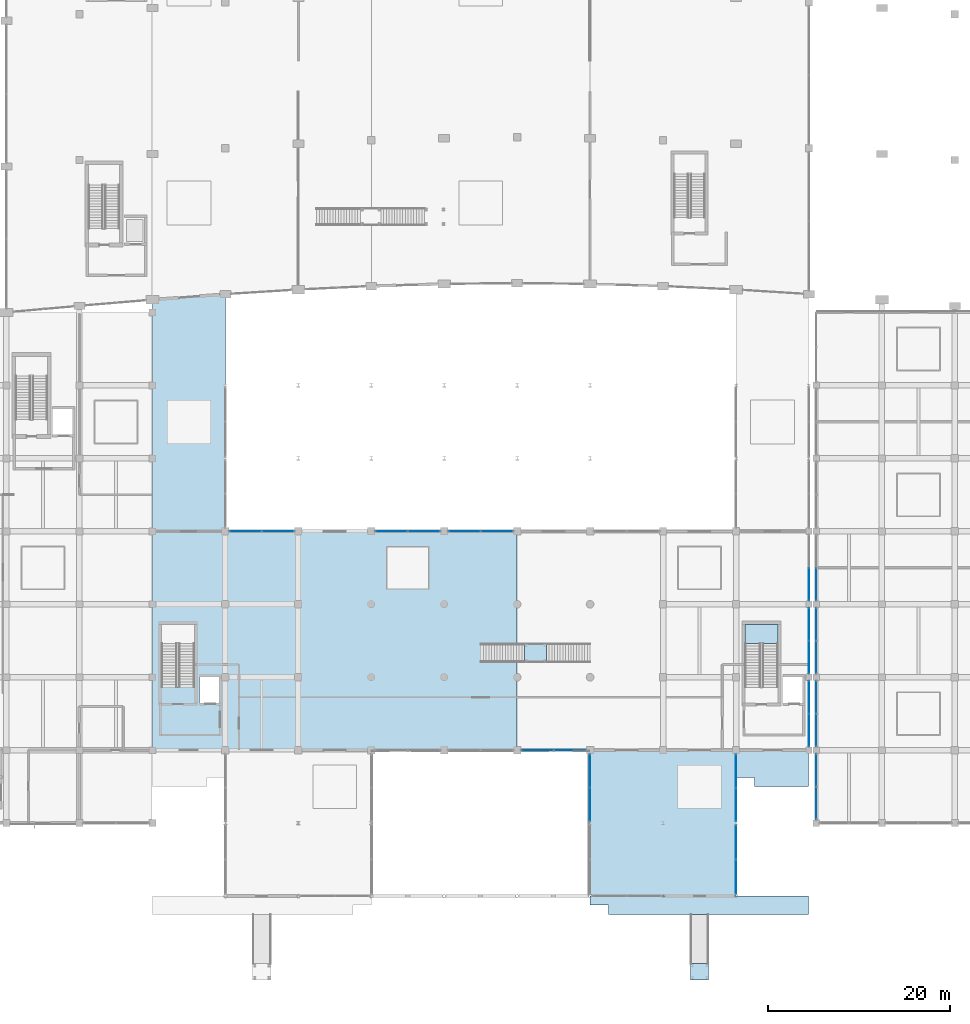
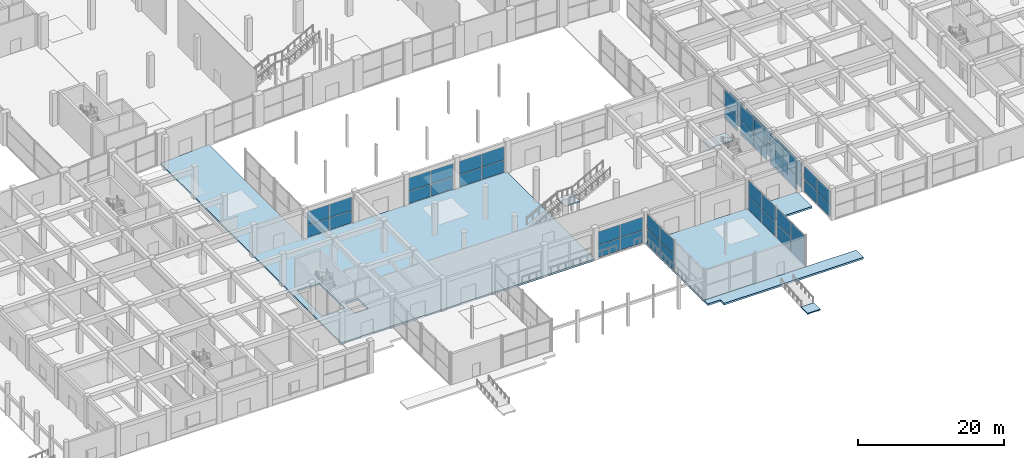
# One storey, part 49 of 86: 52 plates, 7 slabs, 17 elements without a shape of their own.
"""IFC4 building model written with IfcOpenShell, lengths in metres."""

from ifc_helpers import new_model, si_unit, direction, frame, origin, origin_2d, place, context, subcontext, project, spatial, polyline, rectangle, outline, extrude, material, layer, layer_set, type_object, element, aggregate, save


model = new_model("IFC4")

# Units and contexts
model_context = context("Model", 3, precision=1e-05, world=origin(), true_north=direction((0.0, 1.0)))
body_context = subcontext(model_context, "Body", "Model", "MODEL_VIEW")
ifc_project = project(units=[si_unit("LENGTHUNIT", "METRE"), si_unit("AREAUNIT", "SQUARE_METRE"), si_unit("VOLUMEUNIT", "CUBIC_METRE"), si_unit("PLANEANGLEUNIT", "RADIAN"), si_unit("MASSUNIT", "GRAM", prefix="KILO")], contexts=[model_context])

# Site, building, storey
site_placement = place(None, origin())
site = spatial("IfcSite", under=ifc_project, at=site_placement, CompositionType="ELEMENT")
building_placement = place(site_placement, origin())
building = spatial("IfcBuilding", under=site, at=building_placement, Name="Kenh Van Central Station", CompositionType="ELEMENT")
storey_placement = place(building_placement, origin())
storey = spatial("IfcBuildingStorey", under=building, at=storey_placement, Name="L00", CompositionType="ELEMENT", Elevation=0.0)

# Curtain wall, plates
ifc_material_1 = material(Name="Champagne anodised aluminium", Category="aluminium")
curtain_wall_type_1 = type_object("IfcCurtainWallType", Name="CW-RETL-A", PredefinedType="NOTDEFINED", material=ifc_material_1)
curtain_wall_1_placement = place(storey_placement, origin())
curtain_wall_1 = element("IfcCurtainWall", 1, at=curtain_wall_1_placement, inside=storey, type_object=curtain_wall_type_1, Name="L00 curtain wall 044", PredefinedType="NOTDEFINED")
ifc_material_2 = material(Name="Double-glazed low-E laminated solar glass", Category="glass")
ifc_layer_1 = layer(ifc_material_2, 0.02587890625, Name="Double-glazed low-E laminated solar glass")
ifc_layer_set_1 = layer_set([ifc_layer_1], Name="Double-glazed low-E laminated solar glass")
plate_type_1 = type_object("IfcPlateType", Name="CWP-IGU-26", PredefinedType="CURTAIN_PANEL", material=ifc_layer_set_1)
plate_1_placement = place(storey_placement, frame((96.0, 13.71630859375, 0.07177734375), z_axis=(0.0, 0.0, 1.0), x_axis=(0.0, -1.0, 0.0)))
plate_1 = element("IfcPlate", 2, at=plate_1_placement, type_object=plate_type_1, Name="CW-05 panel 1.1", PredefinedType="CURTAIN_PANEL", context=body_context, shape_type="SweptSolid", body=[
    extrude(rectangle(XDim=3.597412109375, YDim=0.02587890625, at=origin_2d()), origin(), (0.0, 0.0, 1.0), 2.340087890625),
])
plate_2_placement = place(storey_placement, frame((96.0, 13.71630859375, 2.484130859375), z_axis=(0.0, 0.0, 1.0), x_axis=(0.0, -1.0, 0.0)))
plate_2 = element("IfcPlate", 3, at=plate_2_placement, type_object=plate_type_1, Name="CW-05 panel 1.2", PredefinedType="CURTAIN_PANEL", context=body_context, shape_type="SweptSolid", body=[
    extrude(rectangle(XDim=3.597412109375, YDim=0.02587890625, at=origin_2d()), origin(), (0.0, 0.0, 1.0), 2.5439453125),
])
plate_3_placement = place(storey_placement, frame((96.0, 10.03369140625, 0.07177734375), z_axis=(0.0, 0.0, 1.0), x_axis=(0.0, -1.0, 0.0)))
plate_3 = element("IfcPlate", 4, at=plate_3_placement, type_object=plate_type_1, Name="CW-05 panel 2.1", PredefinedType="CURTAIN_PANEL", context=body_context, shape_type="SweptSolid", body=[
    extrude(rectangle(XDim=3.597412109375, YDim=0.02587890625, at=origin_2d()), origin(), (0.0, 0.0, 1.0), 2.340087890625),
])
plate_4_placement = place(storey_placement, frame((96.0, 10.03369140625, 2.484130859375), z_axis=(0.0, 0.0, 1.0), x_axis=(0.0, -1.0, 0.0)))
plate_4 = element("IfcPlate", 5, at=plate_4_placement, type_object=plate_type_1, Name="CW-05 panel 2.2", PredefinedType="CURTAIN_PANEL", context=body_context, shape_type="SweptSolid", body=[
    extrude(rectangle(XDim=3.597412109375, YDim=0.02587890625, at=origin_2d()), origin(), (0.0, 0.0, 1.0), 2.5439453125),
])
aggregate(curtain_wall_1, [plate_1, plate_2, plate_3, plate_4])

curtain_wall_2_placement = place(storey_placement, origin())
curtain_wall_2 = element("IfcCurtainWall", 6, at=curtain_wall_2_placement, inside=storey, type_object=curtain_wall_type_1, Name="L00 curtain wall 046", PredefinedType="NOTDEFINED")
plate_5_placement = place(storey_placement, frame((112.0, 2.1171875, 0.07177734375), z_axis=(0.0, 0.0, 1.0), x_axis=(0.0, 1.0, 0.0)))
plate_5 = element("IfcPlate", 7, at=plate_5_placement, type_object=plate_type_1, Name="CW-05 panel 1.1", PredefinedType="CURTAIN_PANEL", context=body_context, shape_type="SweptSolid", body=[
    extrude(rectangle(XDim=3.70849609375, YDim=0.02587890625, at=origin_2d()), origin(), (0.0, 0.0, 1.0), 2.340087890625),
])
plate_6_placement = place(storey_placement, frame((112.0, 2.1171875, 2.484130859375), z_axis=(0.0, 0.0, 1.0), x_axis=(0.0, 1.0, 0.0)))
plate_6 = element("IfcPlate", 8, at=plate_6_placement, type_object=plate_type_1, Name="CW-05 panel 1.2", PredefinedType="CURTAIN_PANEL", context=body_context, shape_type="SweptSolid", body=[
    extrude(rectangle(XDim=3.70849609375, YDim=0.02587890625, at=origin_2d()), origin(), (0.0, 0.0, 1.0), 2.5439453125),
])
plate_7_placement = place(storey_placement, frame((112.0, 5.91064453125, 0.07177734375), z_axis=(0.0, 0.0, 1.0), x_axis=(0.0, 1.0, 0.0)))
plate_7 = element("IfcPlate", 9, at=plate_7_placement, type_object=plate_type_1, Name="CW-05 panel 2.1", PredefinedType="CURTAIN_PANEL", context=body_context, shape_type="SweptSolid", body=[
    extrude(rectangle(XDim=3.70849609375, YDim=0.02587890625, at=origin_2d()), origin(), (0.0, 0.0, 1.0), 2.340087890625),
])
plate_8_placement = place(storey_placement, frame((112.0, 5.91064453125, 2.484130859375), z_axis=(0.0, 0.0, 1.0), x_axis=(0.0, 1.0, 0.0)))
plate_8 = element("IfcPlate", 10, at=plate_8_placement, type_object=plate_type_1, Name="CW-05 panel 2.2", PredefinedType="CURTAIN_PANEL", context=body_context, shape_type="SweptSolid", body=[
    extrude(rectangle(XDim=3.70849609375, YDim=0.02587890625, at=origin_2d()), origin(), (0.0, 0.0, 1.0), 2.5439453125),
])
aggregate(curtain_wall_2, [plate_5, plate_6, plate_7, plate_8])

curtain_wall_3_placement = place(storey_placement, origin())
curtain_wall_3 = element("IfcCurtainWall", 11, at=curtain_wall_3_placement, inside=storey, type_object=curtain_wall_type_1, Name="L00 curtain wall 047", PredefinedType="NOTDEFINED")
plate_9_placement = place(storey_placement, frame((112.0, 10.03369140625, 0.07177734375), z_axis=(0.0, 0.0, 1.0), x_axis=(0.0, 1.0, 0.0)))
plate_9 = element("IfcPlate", 12, at=plate_9_placement, type_object=plate_type_1, Name="CW-05 panel 1.1", PredefinedType="CURTAIN_PANEL", context=body_context, shape_type="SweptSolid", body=[
    extrude(rectangle(XDim=3.597412109375, YDim=0.02587890625, at=origin_2d()), origin(), (0.0, 0.0, 1.0), 2.340087890625),
])
plate_10_placement = place(storey_placement, frame((112.0, 10.03369140625, 2.484130859375), z_axis=(0.0, 0.0, 1.0), x_axis=(0.0, 1.0, 0.0)))
plate_10 = element("IfcPlate", 13, at=plate_10_placement, type_object=plate_type_1, Name="CW-05 panel 1.2", PredefinedType="CURTAIN_PANEL", context=body_context, shape_type="SweptSolid", body=[
    extrude(rectangle(XDim=3.597412109375, YDim=0.02587890625, at=origin_2d()), origin(), (0.0, 0.0, 1.0), 2.5439453125),
])
plate_11_placement = place(storey_placement, frame((112.0, 13.71630859375, 0.07177734375), z_axis=(0.0, 0.0, 1.0), x_axis=(0.0, 1.0, 0.0)))
plate_11 = element("IfcPlate", 14, at=plate_11_placement, type_object=plate_type_1, Name="CW-05 panel 2.1", PredefinedType="CURTAIN_PANEL", context=body_context, shape_type="SweptSolid", body=[
    extrude(rectangle(XDim=3.597412109375, YDim=0.02587890625, at=origin_2d()), origin(), (0.0, 0.0, 1.0), 2.340087890625),
])
plate_12_placement = place(storey_placement, frame((112.0, 13.71630859375, 2.484130859375), z_axis=(0.0, 0.0, 1.0), x_axis=(0.0, 1.0, 0.0)))
plate_12 = element("IfcPlate", 15, at=plate_12_placement, type_object=plate_type_1, Name="CW-05 panel 2.2", PredefinedType="CURTAIN_PANEL", context=body_context, shape_type="SweptSolid", body=[
    extrude(rectangle(XDim=3.597412109375, YDim=0.02587890625, at=origin_2d()), origin(), (0.0, 0.0, 1.0), 2.5439453125),
])
aggregate(curtain_wall_3, [plate_9, plate_10, plate_11, plate_12])

curtain_wall_type_2 = type_object("IfcCurtainWallType", Name="CW-CONC-B", PredefinedType="NOTDEFINED", material=ifc_material_1)
curtain_wall_4_placement = place(storey_placement, origin())
curtain_wall_4 = element("IfcCurtainWall", 16, at=curtain_wall_4_placement, inside=storey, type_object=curtain_wall_type_2, Name="L00 curtain wall 026", PredefinedType="NOTDEFINED")
ifc_layer_2 = layer(ifc_material_2, 0.028076171875, Name="Double-glazed low-E laminated solar glass")
ifc_layer_set_2 = layer_set([ifc_layer_2], Name="Double-glazed low-E laminated solar glass")
plate_type_2 = type_object("IfcPlateType", Name="CWP-IGU-28", PredefinedType="CURTAIN_PANEL", material=ifc_layer_set_2)
plate_13_placement = place(storey_placement, frame((85.779541015625, 40.0, 0.072021484375), z_axis=(0.0, 0.0, 1.0), x_axis=(-1.0, 0.0, 0.0)))
plate_13 = element("IfcPlate", 17, at=plate_13_placement, type_object=plate_type_2, Name="CW-04 panel 1.1", PredefinedType="CURTAIN_PANEL", context=body_context, shape_type="SweptSolid", body=[
    extrude(rectangle(XDim=3.47705078125, YDim=0.028076171875, at=origin_2d()), origin(), (0.0, 0.0, 1.0), 2.013671875),
])
plate_14_placement = place(storey_placement, frame((85.779541015625, 40.0, 2.157470703125), z_axis=(0.0, 0.0, 1.0), x_axis=(-1.0, 0.0, 0.0)))
plate_14 = element("IfcPlate", 18, at=plate_14_placement, type_object=plate_type_2, Name="CW-04 panel 1.2", PredefinedType="CURTAIN_PANEL", context=body_context, shape_type="SweptSolid", body=[
    extrude(rectangle(XDim=3.47705078125, YDim=0.028076171875, at=origin_2d()), origin(), (0.0, 0.0, 1.0), 2.1904296875),
])
plate_15_placement = place(storey_placement, frame((82.220458984375, 40.0, 0.072021484375), z_axis=(0.0, 0.0, 1.0), x_axis=(-1.0, 0.0, 0.0)))
plate_15 = element("IfcPlate", 19, at=plate_15_placement, type_object=plate_type_2, Name="CW-04 panel 2.1", PredefinedType="CURTAIN_PANEL", context=body_context, shape_type="SweptSolid", body=[
    extrude(rectangle(XDim=3.47705078125, YDim=0.028076171875, at=origin_2d()), origin(), (0.0, 0.0, 1.0), 2.013671875),
])
plate_16_placement = place(storey_placement, frame((82.220458984375, 40.0, 2.157470703125), z_axis=(0.0, 0.0, 1.0), x_axis=(-1.0, 0.0, 0.0)))
plate_16 = element("IfcPlate", 20, at=plate_16_placement, type_object=plate_type_2, Name="CW-04 panel 2.2", PredefinedType="CURTAIN_PANEL", context=body_context, shape_type="SweptSolid", body=[
    extrude(rectangle(XDim=3.47705078125, YDim=0.028076171875, at=origin_2d()), origin(), (0.0, 0.0, 1.0), 2.1904296875),
])
aggregate(curtain_wall_4, [plate_13, plate_14, plate_15, plate_16])

curtain_wall_5_placement = place(storey_placement, origin())
curtain_wall_5 = element("IfcCurtainWall", 21, at=curtain_wall_5_placement, inside=storey, type_object=curtain_wall_type_2, Name="L00 curtain wall 027", PredefinedType="NOTDEFINED")
plate_17_placement = place(storey_placement, frame((77.779541015625, 40.0, 0.072021484375), z_axis=(0.0, 0.0, 1.0), x_axis=(-1.0, 0.0, 0.0)))
plate_17 = element("IfcPlate", 22, at=plate_17_placement, type_object=plate_type_2, Name="CW-04 panel 1.1", PredefinedType="CURTAIN_PANEL", context=body_context, shape_type="SweptSolid", body=[
    extrude(rectangle(XDim=3.47705078125, YDim=0.028076171875, at=origin_2d()), origin(), (0.0, 0.0, 1.0), 2.013671875),
])
plate_18_placement = place(storey_placement, frame((77.779541015625, 40.0, 2.157470703125), z_axis=(0.0, 0.0, 1.0), x_axis=(-1.0, 0.0, 0.0)))
plate_18 = element("IfcPlate", 23, at=plate_18_placement, type_object=plate_type_2, Name="CW-04 panel 1.2", PredefinedType="CURTAIN_PANEL", context=body_context, shape_type="SweptSolid", body=[
    extrude(rectangle(XDim=3.47705078125, YDim=0.028076171875, at=origin_2d()), origin(), (0.0, 0.0, 1.0), 2.1904296875),
])
plate_19_placement = place(storey_placement, frame((74.220458984375, 40.0, 0.072021484375), z_axis=(0.0, 0.0, 1.0), x_axis=(-1.0, 0.0, 0.0)))
plate_19 = element("IfcPlate", 24, at=plate_19_placement, type_object=plate_type_2, Name="CW-04 panel 2.1", PredefinedType="CURTAIN_PANEL", context=body_context, shape_type="SweptSolid", body=[
    extrude(rectangle(XDim=3.47705078125, YDim=0.028076171875, at=origin_2d()), origin(), (0.0, 0.0, 1.0), 2.013671875),
])
plate_20_placement = place(storey_placement, frame((74.220458984375, 40.0, 2.157470703125), z_axis=(0.0, 0.0, 1.0), x_axis=(-1.0, 0.0, 0.0)))
plate_20 = element("IfcPlate", 25, at=plate_20_placement, type_object=plate_type_2, Name="CW-04 panel 2.2", PredefinedType="CURTAIN_PANEL", context=body_context, shape_type="SweptSolid", body=[
    extrude(rectangle(XDim=3.47705078125, YDim=0.028076171875, at=origin_2d()), origin(), (0.0, 0.0, 1.0), 2.1904296875),
])
aggregate(curtain_wall_5, [plate_17, plate_18, plate_19, plate_20])

curtain_wall_6_placement = place(storey_placement, origin())
curtain_wall_6 = element("IfcCurtainWall", 26, at=curtain_wall_6_placement, inside=storey, type_object=curtain_wall_type_2, Name="L00 curtain wall 028", PredefinedType="NOTDEFINED")
plate_21_placement = place(storey_placement, frame((61.779541015625, 40.0, 0.072021484375), z_axis=(0.0, 0.0, 1.0), x_axis=(-1.0, 0.0, 0.0)))
plate_21 = element("IfcPlate", 27, at=plate_21_placement, type_object=plate_type_2, Name="CW-04 panel 1.1", PredefinedType="CURTAIN_PANEL", context=body_context, shape_type="SweptSolid", body=[
    extrude(rectangle(XDim=3.47705078125, YDim=0.028076171875, at=origin_2d()), origin(), (0.0, 0.0, 1.0), 2.013671875),
])
plate_22_placement = place(storey_placement, frame((61.779541015625, 40.0, 2.157470703125), z_axis=(0.0, 0.0, 1.0), x_axis=(-1.0, 0.0, 0.0)))
plate_22 = element("IfcPlate", 28, at=plate_22_placement, type_object=plate_type_2, Name="CW-04 panel 1.2", PredefinedType="CURTAIN_PANEL", context=body_context, shape_type="SweptSolid", body=[
    extrude(rectangle(XDim=3.47705078125, YDim=0.028076171875, at=origin_2d()), origin(), (0.0, 0.0, 1.0), 2.1904296875),
])
plate_23_placement = place(storey_placement, frame((58.220458984375, 40.0, 0.072021484375), z_axis=(0.0, 0.0, 1.0), x_axis=(-1.0, 0.0, 0.0)))
plate_23 = element("IfcPlate", 29, at=plate_23_placement, type_object=plate_type_2, Name="CW-04 panel 2.1", PredefinedType="CURTAIN_PANEL", context=body_context, shape_type="SweptSolid", body=[
    extrude(rectangle(XDim=3.47705078125, YDim=0.028076171875, at=origin_2d()), origin(), (0.0, 0.0, 1.0), 2.013671875),
])
plate_24_placement = place(storey_placement, frame((58.220458984375, 40.0, 2.157470703125), z_axis=(0.0, 0.0, 1.0), x_axis=(-1.0, 0.0, 0.0)))
plate_24 = element("IfcPlate", 30, at=plate_24_placement, type_object=plate_type_2, Name="CW-04 panel 2.2", PredefinedType="CURTAIN_PANEL", context=body_context, shape_type="SweptSolid", body=[
    extrude(rectangle(XDim=3.47705078125, YDim=0.028076171875, at=origin_2d()), origin(), (0.0, 0.0, 1.0), 2.1904296875),
])
aggregate(curtain_wall_6, [plate_21, plate_22, plate_23, plate_24])

curtain_wall_7_placement = place(storey_placement, origin())
curtain_wall_7 = element("IfcCurtainWall", 31, at=curtain_wall_7_placement, inside=storey, type_object=curtain_wall_type_2, Name="L00 curtain wall 033", PredefinedType="NOTDEFINED")
plate_25_placement = place(storey_placement, frame((120.0, 18.195556640625, 0.07177734375), z_axis=(0.0, 0.0, 1.0), x_axis=(0.0, 1.0, 0.0)))
plate_25 = element("IfcPlate", 32, at=plate_25_placement, type_object=plate_type_2, Name="CW-04 panel 1.1", PredefinedType="CURTAIN_PANEL", context=body_context, shape_type="SweptSolid", body=[
    extrude(rectangle(XDim=3.527099609375, YDim=0.028076171875, at=origin_2d()), origin(), (0.0, 0.0, 1.0), 2.340087890625),
])
plate_26_placement = place(storey_placement, frame((120.0, 18.195556640625, 2.484130859375), z_axis=(0.0, 0.0, 1.0), x_axis=(0.0, 1.0, 0.0)))
plate_26 = element("IfcPlate", 33, at=plate_26_placement, type_object=plate_type_2, Name="CW-04 panel 1.2", PredefinedType="CURTAIN_PANEL", context=body_context, shape_type="SweptSolid", body=[
    extrude(rectangle(XDim=3.527099609375, YDim=0.028076171875, at=origin_2d()), origin(), (0.0, 0.0, 1.0), 2.5439453125),
])
plate_27_placement = place(storey_placement, frame((120.0, 21.804443359375, 0.07177734375), z_axis=(0.0, 0.0, 1.0), x_axis=(0.0, 1.0, 0.0)))
plate_27 = element("IfcPlate", 34, at=plate_27_placement, type_object=plate_type_2, Name="CW-04 panel 2.1", PredefinedType="CURTAIN_PANEL", context=body_context, shape_type="SweptSolid", body=[
    extrude(rectangle(XDim=3.527099609375, YDim=0.028076171875, at=origin_2d()), origin(), (0.0, 0.0, 1.0), 2.340087890625),
])
plate_28_placement = place(storey_placement, frame((120.0, 21.804443359375, 2.484130859375), z_axis=(0.0, 0.0, 1.0), x_axis=(0.0, 1.0, 0.0)))
plate_28 = element("IfcPlate", 35, at=plate_28_placement, type_object=plate_type_2, Name="CW-04 panel 2.2", PredefinedType="CURTAIN_PANEL", context=body_context, shape_type="SweptSolid", body=[
    extrude(rectangle(XDim=3.527099609375, YDim=0.028076171875, at=origin_2d()), origin(), (0.0, 0.0, 1.0), 2.5439453125),
])
aggregate(curtain_wall_7, [plate_25, plate_26, plate_27, plate_28])

curtain_wall_8_placement = place(storey_placement, origin())
curtain_wall_8 = element("IfcCurtainWall", 36, at=curtain_wall_8_placement, inside=storey, type_object=curtain_wall_type_2, Name="L00 curtain wall 034", PredefinedType="NOTDEFINED")
plate_29_placement = place(storey_placement, frame((120.0, 26.195556640625, 0.07177734375), z_axis=(0.0, 0.0, 1.0), x_axis=(0.0, 1.0, 0.0)))
plate_29 = element("IfcPlate", 37, at=plate_29_placement, type_object=plate_type_2, Name="CW-04 panel 1.1", PredefinedType="CURTAIN_PANEL", context=body_context, shape_type="SweptSolid", body=[
    extrude(rectangle(XDim=3.527099609375, YDim=0.028076171875, at=origin_2d()), origin(), (0.0, 0.0, 1.0), 2.340087890625),
])
plate_30_placement = place(storey_placement, frame((120.0, 26.195556640625, 2.484130859375), z_axis=(0.0, 0.0, 1.0), x_axis=(0.0, 1.0, 0.0)))
plate_30 = element("IfcPlate", 38, at=plate_30_placement, type_object=plate_type_2, Name="CW-04 panel 1.2", PredefinedType="CURTAIN_PANEL", context=body_context, shape_type="SweptSolid", body=[
    extrude(rectangle(XDim=3.527099609375, YDim=0.028076171875, at=origin_2d()), origin(), (0.0, 0.0, 1.0), 2.5439453125),
])
plate_31_placement = place(storey_placement, frame((120.0, 29.804443359375, 0.07177734375), z_axis=(0.0, 0.0, 1.0), x_axis=(0.0, 1.0, 0.0)))
plate_31 = element("IfcPlate", 39, at=plate_31_placement, type_object=plate_type_2, Name="CW-04 panel 2.1", PredefinedType="CURTAIN_PANEL", context=body_context, shape_type="SweptSolid", body=[
    extrude(rectangle(XDim=3.527099609375, YDim=0.028076171875, at=origin_2d()), origin(), (0.0, 0.0, 1.0), 2.340087890625),
])
plate_32_placement = place(storey_placement, frame((120.0, 29.804443359375, 2.484130859375), z_axis=(0.0, 0.0, 1.0), x_axis=(0.0, 1.0, 0.0)))
plate_32 = element("IfcPlate", 40, at=plate_32_placement, type_object=plate_type_2, Name="CW-04 panel 2.2", PredefinedType="CURTAIN_PANEL", context=body_context, shape_type="SweptSolid", body=[
    extrude(rectangle(XDim=3.527099609375, YDim=0.028076171875, at=origin_2d()), origin(), (0.0, 0.0, 1.0), 2.5439453125),
])
aggregate(curtain_wall_8, [plate_29, plate_30, plate_31, plate_32])

curtain_wall_9_placement = place(storey_placement, origin())
curtain_wall_9 = element("IfcCurtainWall", 41, at=curtain_wall_9_placement, inside=storey, type_object=curtain_wall_type_2, Name="L00 curtain wall 035", PredefinedType="NOTDEFINED")
plate_33_placement = place(storey_placement, frame((120.0, 34.195556640625, 0.07177734375), z_axis=(0.0, 0.0, 1.0), x_axis=(0.0, 1.0, 0.0)))
plate_33 = element("IfcPlate", 42, at=plate_33_placement, type_object=plate_type_2, Name="CW-04 panel 1.1", PredefinedType="CURTAIN_PANEL", context=body_context, shape_type="SweptSolid", body=[
    extrude(rectangle(XDim=3.527099609375, YDim=0.028076171875, at=origin_2d()), origin(), (0.0, 0.0, 1.0), 2.340087890625),
])
plate_34_placement = place(storey_placement, frame((120.0, 34.195556640625, 2.484130859375), z_axis=(0.0, 0.0, 1.0), x_axis=(0.0, 1.0, 0.0)))
plate_34 = element("IfcPlate", 43, at=plate_34_placement, type_object=plate_type_2, Name="CW-04 panel 1.2", PredefinedType="CURTAIN_PANEL", context=body_context, shape_type="SweptSolid", body=[
    extrude(rectangle(XDim=3.527099609375, YDim=0.028076171875, at=origin_2d()), origin(), (0.0, 0.0, 1.0), 2.5439453125),
])
aggregate(curtain_wall_9, [plate_33, plate_34])

curtain_wall_type_3 = type_object("IfcCurtainWallType", Name="CW-CONC-A", PredefinedType="NOTDEFINED", material=ifc_material_1)
curtain_wall_10_placement = place(storey_placement, origin())
curtain_wall_10 = element("IfcCurtainWall", 44, at=curtain_wall_10_placement, inside=storey, type_object=curtain_wall_type_3, Name="L00 curtain wall 024", PredefinedType="NOTDEFINED")
ifc_layer_3 = layer(ifc_material_2, 0.030029296875, Name="Double-glazed low-E laminated solar glass")
ifc_layer_set_3 = layer_set([ifc_layer_3], Name="Double-glazed low-E laminated solar glass")
plate_type_3 = type_object("IfcPlateType", Name="CWP-IGU-30", PredefinedType="CURTAIN_PANEL", material=ifc_layer_set_3)
plate_35_placement = place(storey_placement, frame((90.220458984375, 16.0, 0.072021484375), z_axis=(0.0, 0.0, 1.0), x_axis=(1.0, 0.0, 0.0)))
plate_35 = element("IfcPlate", 45, at=plate_35_placement, type_object=plate_type_3, Name="CW-03 panel 1.1", PredefinedType="CURTAIN_PANEL", context=body_context, shape_type="SweptSolid", body=[
    extrude(rectangle(XDim=3.47705078125, YDim=0.030029296875, at=origin_2d()), origin(), (0.0, 0.0, 1.0), 2.013671875),
])
plate_36_placement = place(storey_placement, frame((90.220458984375, 16.0, 2.157470703125), z_axis=(0.0, 0.0, 1.0), x_axis=(1.0, 0.0, 0.0)))
plate_36 = element("IfcPlate", 46, at=plate_36_placement, type_object=plate_type_3, Name="CW-03 panel 1.2", PredefinedType="CURTAIN_PANEL", context=body_context, shape_type="SweptSolid", body=[
    extrude(rectangle(XDim=3.47705078125, YDim=0.030029296875, at=origin_2d()), origin(), (0.0, 0.0, 1.0), 2.1904296875),
])
plate_37_placement = place(storey_placement, frame((93.779541015625, 16.0, 0.072021484375), z_axis=(0.0, 0.0, 1.0), x_axis=(1.0, 0.0, 0.0)))
plate_37 = element("IfcPlate", 47, at=plate_37_placement, type_object=plate_type_3, Name="CW-03 panel 2.1", PredefinedType="CURTAIN_PANEL", context=body_context, shape_type="SweptSolid", body=[
    extrude(rectangle(XDim=3.47705078125, YDim=0.030029296875, at=origin_2d()), origin(), (0.0, 0.0, 1.0), 2.013671875),
])
plate_38_placement = place(storey_placement, frame((93.779541015625, 16.0, 2.157470703125), z_axis=(0.0, 0.0, 1.0), x_axis=(1.0, 0.0, 0.0)))
plate_38 = element("IfcPlate", 48, at=plate_38_placement, type_object=plate_type_3, Name="CW-03 panel 2.2", PredefinedType="CURTAIN_PANEL", context=body_context, shape_type="SweptSolid", body=[
    extrude(rectangle(XDim=3.47705078125, YDim=0.030029296875, at=origin_2d()), origin(), (0.0, 0.0, 1.0), 2.1904296875),
])
aggregate(curtain_wall_10, [plate_35, plate_36, plate_37, plate_38])

curtain_wall_type_4 = type_object("IfcCurtainWallType", Name="CW-OPER-B", PredefinedType="NOTDEFINED", material=ifc_material_1)
curtain_wall_11_placement = place(storey_placement, origin())
curtain_wall_11 = element("IfcCurtainWall", 49, at=curtain_wall_11_placement, inside=storey, type_object=curtain_wall_type_4, Name="L00 curtain wall 072", PredefinedType="NOTDEFINED")
plate_39_placement = place(storey_placement, frame((120.800048828125, 34.197021484375, 0.072021484375), z_axis=(0.0, 0.0, 1.0), x_axis=(0.0, -1.0, 0.0)))
plate_39 = element("IfcPlate", 50, at=plate_39_placement, type_object=plate_type_3, Name="CW-08 panel 2.1", PredefinedType="CURTAIN_PANEL", context=body_context, shape_type="SweptSolid", body=[
    extrude(rectangle(XDim=3.51806640625, YDim=0.030029296875, at=origin_2d()), origin(), (0.0, 0.0, 1.0), 2.013671875),
])
plate_40_placement = place(storey_placement, frame((120.800048828125, 34.197021484375, 2.157470703125), z_axis=(0.0, 0.0, 1.0), x_axis=(0.0, -1.0, 0.0)))
plate_40 = element("IfcPlate", 51, at=plate_40_placement, type_object=plate_type_3, Name="CW-08 panel 2.2", PredefinedType="CURTAIN_PANEL", context=body_context, shape_type="SweptSolid", body=[
    extrude(rectangle(XDim=3.51806640625, YDim=0.030029296875, at=origin_2d()), origin(), (0.0, 0.0, 1.0), 2.1904296875),
])
aggregate(curtain_wall_11, [plate_39, plate_40])

curtain_wall_12_placement = place(storey_placement, origin())
curtain_wall_12 = element("IfcCurtainWall", 52, at=curtain_wall_12_placement, inside=storey, type_object=curtain_wall_type_4, Name="L00 curtain wall 073", PredefinedType="NOTDEFINED")
plate_41_placement = place(storey_placement, frame((120.800048828125, 29.802978515625, 0.072021484375), z_axis=(0.0, 0.0, 1.0), x_axis=(0.0, -1.0, 0.0)))
plate_41 = element("IfcPlate", 53, at=plate_41_placement, type_object=plate_type_3, Name="CW-08 panel 1.1", PredefinedType="CURTAIN_PANEL", context=body_context, shape_type="SweptSolid", body=[
    extrude(rectangle(XDim=3.51806640625, YDim=0.030029296875, at=origin_2d()), origin(), (0.0, 0.0, 1.0), 2.013671875),
])
plate_42_placement = place(storey_placement, frame((120.800048828125, 29.802978515625, 2.157470703125), z_axis=(0.0, 0.0, 1.0), x_axis=(0.0, -1.0, 0.0)))
plate_42 = element("IfcPlate", 54, at=plate_42_placement, type_object=plate_type_3, Name="CW-08 panel 1.2", PredefinedType="CURTAIN_PANEL", context=body_context, shape_type="SweptSolid", body=[
    extrude(rectangle(XDim=3.51806640625, YDim=0.030029296875, at=origin_2d()), origin(), (0.0, 0.0, 1.0), 2.1904296875),
])
plate_43_placement = place(storey_placement, frame((120.800048828125, 26.197021484375, 0.072021484375), z_axis=(0.0, 0.0, 1.0), x_axis=(0.0, -1.0, 0.0)))
plate_43 = element("IfcPlate", 55, at=plate_43_placement, type_object=plate_type_3, Name="CW-08 panel 2.1", PredefinedType="CURTAIN_PANEL", context=body_context, shape_type="SweptSolid", body=[
    extrude(rectangle(XDim=3.51806640625, YDim=0.030029296875, at=origin_2d()), origin(), (0.0, 0.0, 1.0), 2.013671875),
])
plate_44_placement = place(storey_placement, frame((120.800048828125, 26.197021484375, 2.157470703125), z_axis=(0.0, 0.0, 1.0), x_axis=(0.0, -1.0, 0.0)))
plate_44 = element("IfcPlate", 56, at=plate_44_placement, type_object=plate_type_3, Name="CW-08 panel 2.2", PredefinedType="CURTAIN_PANEL", context=body_context, shape_type="SweptSolid", body=[
    extrude(rectangle(XDim=3.51806640625, YDim=0.030029296875, at=origin_2d()), origin(), (0.0, 0.0, 1.0), 2.1904296875),
])
aggregate(curtain_wall_12, [plate_41, plate_42, plate_43, plate_44])

curtain_wall_13_placement = place(storey_placement, origin())
curtain_wall_13 = element("IfcCurtainWall", 57, at=curtain_wall_13_placement, inside=storey, type_object=curtain_wall_type_4, Name="L00 curtain wall 074", PredefinedType="NOTDEFINED")
plate_45_placement = place(storey_placement, frame((120.800048828125, 21.802978515625, 0.072021484375), z_axis=(0.0, 0.0, 1.0), x_axis=(0.0, -1.0, 0.0)))
plate_45 = element("IfcPlate", 58, at=plate_45_placement, type_object=plate_type_3, Name="CW-08 panel 1.1", PredefinedType="CURTAIN_PANEL", context=body_context, shape_type="SweptSolid", body=[
    extrude(rectangle(XDim=3.51806640625, YDim=0.030029296875, at=origin_2d()), origin(), (0.0, 0.0, 1.0), 2.013671875),
])
plate_46_placement = place(storey_placement, frame((120.800048828125, 21.802978515625, 2.157470703125), z_axis=(0.0, 0.0, 1.0), x_axis=(0.0, -1.0, 0.0)))
plate_46 = element("IfcPlate", 59, at=plate_46_placement, type_object=plate_type_3, Name="CW-08 panel 1.2", PredefinedType="CURTAIN_PANEL", context=body_context, shape_type="SweptSolid", body=[
    extrude(rectangle(XDim=3.51806640625, YDim=0.030029296875, at=origin_2d()), origin(), (0.0, 0.0, 1.0), 2.1904296875),
])
plate_47_placement = place(storey_placement, frame((120.800048828125, 18.197021484375, 0.072021484375), z_axis=(0.0, 0.0, 1.0), x_axis=(0.0, -1.0, 0.0)))
plate_47 = element("IfcPlate", 60, at=plate_47_placement, type_object=plate_type_3, Name="CW-08 panel 2.1", PredefinedType="CURTAIN_PANEL", context=body_context, shape_type="SweptSolid", body=[
    extrude(rectangle(XDim=3.51806640625, YDim=0.030029296875, at=origin_2d()), origin(), (0.0, 0.0, 1.0), 2.013671875),
])
plate_48_placement = place(storey_placement, frame((120.800048828125, 18.197021484375, 2.157470703125), z_axis=(0.0, 0.0, 1.0), x_axis=(0.0, -1.0, 0.0)))
plate_48 = element("IfcPlate", 61, at=plate_48_placement, type_object=plate_type_3, Name="CW-08 panel 2.2", PredefinedType="CURTAIN_PANEL", context=body_context, shape_type="SweptSolid", body=[
    extrude(rectangle(XDim=3.51806640625, YDim=0.030029296875, at=origin_2d()), origin(), (0.0, 0.0, 1.0), 2.1904296875),
])
aggregate(curtain_wall_13, [plate_45, plate_46, plate_47, plate_48])

curtain_wall_14_placement = place(storey_placement, origin())
curtain_wall_14 = element("IfcCurtainWall", 62, at=curtain_wall_14_placement, inside=storey, type_object=curtain_wall_type_4, Name="L00 curtain wall 075", PredefinedType="NOTDEFINED")
plate_49_placement = place(storey_placement, frame((120.800048828125, 13.802978515625, 0.072021484375), z_axis=(0.0, 0.0, 1.0), x_axis=(0.0, -1.0, 0.0)))
plate_49 = element("IfcPlate", 63, at=plate_49_placement, type_object=plate_type_3, Name="CW-08 panel 1.1", PredefinedType="CURTAIN_PANEL", context=body_context, shape_type="SweptSolid", body=[
    extrude(rectangle(XDim=3.51806640625, YDim=0.030029296875, at=origin_2d()), origin(), (0.0, 0.0, 1.0), 2.013671875),
])
plate_50_placement = place(storey_placement, frame((120.800048828125, 13.802978515625, 2.157470703125), z_axis=(0.0, 0.0, 1.0), x_axis=(0.0, -1.0, 0.0)))
plate_50 = element("IfcPlate", 64, at=plate_50_placement, type_object=plate_type_3, Name="CW-08 panel 1.2", PredefinedType="CURTAIN_PANEL", context=body_context, shape_type="SweptSolid", body=[
    extrude(rectangle(XDim=3.51806640625, YDim=0.030029296875, at=origin_2d()), origin(), (0.0, 0.0, 1.0), 2.1904296875),
])
plate_51_placement = place(storey_placement, frame((120.800048828125, 10.197021484375, 0.072021484375), z_axis=(0.0, 0.0, 1.0), x_axis=(0.0, -1.0, 0.0)))
plate_51 = element("IfcPlate", 65, at=plate_51_placement, type_object=plate_type_3, Name="CW-08 panel 2.1", PredefinedType="CURTAIN_PANEL", context=body_context, shape_type="SweptSolid", body=[
    extrude(rectangle(XDim=3.51806640625, YDim=0.030029296875, at=origin_2d()), origin(), (0.0, 0.0, 1.0), 2.013671875),
])
plate_52_placement = place(storey_placement, frame((120.800048828125, 10.197021484375, 2.157470703125), z_axis=(0.0, 0.0, 1.0), x_axis=(0.0, -1.0, 0.0)))
plate_52 = element("IfcPlate", 66, at=plate_52_placement, type_object=plate_type_3, Name="CW-08 panel 2.2", PredefinedType="CURTAIN_PANEL", context=body_context, shape_type="SweptSolid", body=[
    extrude(rectangle(XDim=3.51806640625, YDim=0.030029296875, at=origin_2d()), origin(), (0.0, 0.0, 1.0), 2.1904296875),
])
aggregate(curtain_wall_14, [plate_49, plate_50, plate_51, plate_52])

# Slabs
ifc_material_3 = material(Name="Concrete C35/45", Category="concrete")
ifc_layer_4 = layer(ifc_material_3, 0.300048828125, Name="Concrete C35/45")
ifc_layer_set_4 = layer_set([ifc_layer_4], Name="Concrete C35/45")
slab_type_1 = type_object("IfcSlabType", Name="SLB-FLR-300", PredefinedType="FLOOR", material=ifc_layer_set_4)
slab_1_placement = place(storey_placement, frame((0.0, 0.0, -0.300048828125)))
element("IfcSlab", 67, at=slab_1_placement, inside=storey, type_object=slab_type_1, Name="L00 slab SLB-L00-CW", PredefinedType="FLOOR", context=body_context, shape_type="SweptSolid", body=[
    extrude(outline(polyline([(48.03759765625, 16.0), (88.0, 16.0), (88.0, 40.0), (56.0, 40.0), (56.0, 65.9951171875), (48.03759765625, 65.388427734375), (48.03759765625, 16.0)]), holes=[polyline([(55.300048828125, 21.199951171875), (53.14990234375, 21.199951171875), (53.14990234375, 24.0), (55.300048828125, 24.0), (55.300048828125, 21.199951171875)]), polyline([(52.60009765625, 22.9150390625), (49.0, 22.9150390625), (49.0, 29.800048828125), (52.60009765625, 29.800048828125), (52.60009765625, 22.9150390625)])]), origin(), (0.0, 0.0, 1.0), 0.300048828125),
])
slab_2_placement = place(storey_placement, frame((0.0, 0.0, -0.300048828125)))
element("IfcSlab", 68, at=slab_2_placement, inside=storey, type_object=slab_type_1, Name="L00 slab SLB-L00-APRE", PredefinedType="FLOOR", context=body_context, shape_type="SweptSolid", body=[
    extrude(outline(polyline([(119.96240234375, -2.0), (119.96240234375, 0.0), (96.0, 0.0), (96.0, -1.0), (98.0, -1.0), (98.0, -2.0), (119.96240234375, -2.0)])), origin(), (0.0, 0.0, 1.0), 0.300048828125),
])
slab_3_placement = place(storey_placement, frame((0.0, 0.0, -0.300048828125)))
element("IfcSlab", 69, at=slab_3_placement, inside=storey, type_object=slab_type_1, Name="L00 slab SLB-L00-APRF", PredefinedType="FLOOR", context=body_context, shape_type="SweptSolid", body=[
    extrude(outline(polyline([(119.96240234375, 12.0), (119.96240234375, 16.0), (112.0, 16.0), (112.0, 13.0), (114.0, 13.0), (114.0, 12.0), (119.96240234375, 12.0)])), origin(), (0.0, 0.0, 1.0), 0.300048828125),
])
ifc_material_4 = material(Name="Concrete C40/50", Category="concrete")
ifc_layer_5 = layer(ifc_material_4, 0.340087890625, Name="Concrete C40/50")
ifc_layer_set_5 = layer_set([ifc_layer_5], Name="Concrete C40/50")
slab_type_2 = type_object("IfcSlabType", Name="SLB-FLR-340", PredefinedType="FLOOR", material=ifc_layer_set_5)
slab_4_placement = place(storey_placement, frame((0.0, 0.0, -0.340087890625)))
element("IfcSlab", 70, at=slab_4_placement, inside=storey, type_object=slab_type_2, Name="L00 slab SLB-L00-FE", PredefinedType="FLOOR", context=body_context, shape_type="SweptSolid", body=[
    extrude(outline(polyline([(96.300048828125, 0.0), (112.0, 0.0), (112.0, 16.0), (96.0, 16.0), (96.0, 0.300048828125), (96.300048828125, 0.0)])), origin(), (0.0, 0.0, 1.0), 0.340087890625),
])

# Ramp, slab
ramp_type = type_object("IfcRampType", Name="RMP-ACC-2000", PredefinedType="STRAIGHT_RUN_RAMP", material=ifc_material_4)
ramp_placement = place(storey_placement, origin())
ramp = element("IfcRamp", 71, at=ramp_placement, inside=storey, type_object=ramp_type, Name="Forecourt East Drop-Off Accessible Ramp", PredefinedType="STRAIGHT_RUN_RAMP")
ifc_layer_6 = layer(ifc_material_4, 0.175048828125, Name="Concrete C40/50")
ifc_layer_set_6 = layer_set([ifc_layer_6], Name="Concrete C40/50")
slab_type_3 = type_object("IfcSlabType", Name="SLB-LAND-175", PredefinedType="LANDING", material=ifc_layer_set_6)
slab_5_placement = place(storey_placement, frame((0.0, 0.0, -0.625)))
slab_5 = element("IfcSlab", 72, at=slab_5_placement, type_object=slab_type_3, Name="Forecourt East Drop-Off Accessible Ramp bottom landing", PredefinedType="LANDING", context=body_context, shape_type="SweptSolid", body=[
    extrude(outline(polyline([(109.0, -9.199951171875), (109.0, -7.39990234375), (107.0, -7.39990234375), (107.0, -9.199951171875), (109.0, -9.199951171875)])), origin(), (0.0, 0.0, 1.0), 0.175048828125),
])
aggregate(ramp, [slab_5])

# Stair, slab
stair_type_1 = type_object("IfcStairType", Name="STR-PUB-2100", PredefinedType="STRAIGHT_RUN_STAIR", material=ifc_material_4)
stair_1_placement = place(storey_placement, origin())
stair_1 = element("IfcStair", 73, at=stair_1_placement, inside=storey, type_object=stair_type_1, Name="Ticket Hall Atrium Concourse Stair", PredefinedType="STRAIGHT_RUN_STAIR")
ifc_layer_7 = layer(ifc_material_4, 0.179931640625, Name="Concrete C40/50")
ifc_layer_set_7 = layer_set([ifc_layer_7], Name="Concrete C40/50")
slab_type_4 = type_object("IfcSlabType", Name="SLB-LAND-180", PredefinedType="LANDING", material=ifc_layer_set_7)
slab_6_placement = place(storey_placement, frame((0.0, 0.0, 2.52001953125)))
slab_6 = element("IfcSlab", 74, at=slab_6_placement, type_object=slab_type_4, Name="ST-P3 landing 1", PredefinedType="LANDING", context=body_context, shape_type="SweptSolid", body=[
    extrude(outline(polyline([(88.804931640625, 25.60009765625), (91.205078125, 25.60009765625), (91.205078125, 27.699951171875), (88.804931640625, 27.699951171875), (88.804931640625, 25.60009765625)])), origin(), (0.0, 0.0, 1.0), 0.179931640625),
])
aggregate(stair_1, [slab_6])

stair_type_2 = type_object("IfcStairType", Name="STR-DLG-1700", PredefinedType="HALF_TURN_STAIR", material=ifc_material_3)
stair_2_placement = place(storey_placement, origin())
stair_2 = element("IfcStair", 75, at=stair_2_placement, inside=storey, type_object=stair_type_2, Name="L00 Ticket Hall East Exit Core", PredefinedType="HALF_TURN_STAIR")
ifc_layer_8 = layer(ifc_material_3, 0.199951171875, Name="Concrete C35/45")
ifc_layer_set_8 = layer_set([ifc_layer_8], Name="Concrete C35/45")
slab_type_5 = type_object("IfcSlabType", Name="SLB-LAND-200", PredefinedType="LANDING", material=ifc_layer_set_8)
slab_7_placement = place(storey_placement, frame((0.0, 0.0, 2.5)))
slab_7 = element("IfcSlab", 76, at=slab_7_placement, type_object=slab_type_5, Name="ST-04 landing 1", PredefinedType="LANDING", context=body_context, shape_type="SweptSolid", body=[
    extrude(outline(polyline([(116.60009765625, 27.699951171875), (116.60009765625, 29.800048828125), (113.0, 29.800048828125), (113.0, 27.699951171875), (116.60009765625, 27.699951171875)])), origin(), (0.0, 0.0, 1.0), 0.199951171875),
])
aggregate(stair_2, [slab_7])

save(model, "model.ifc")
